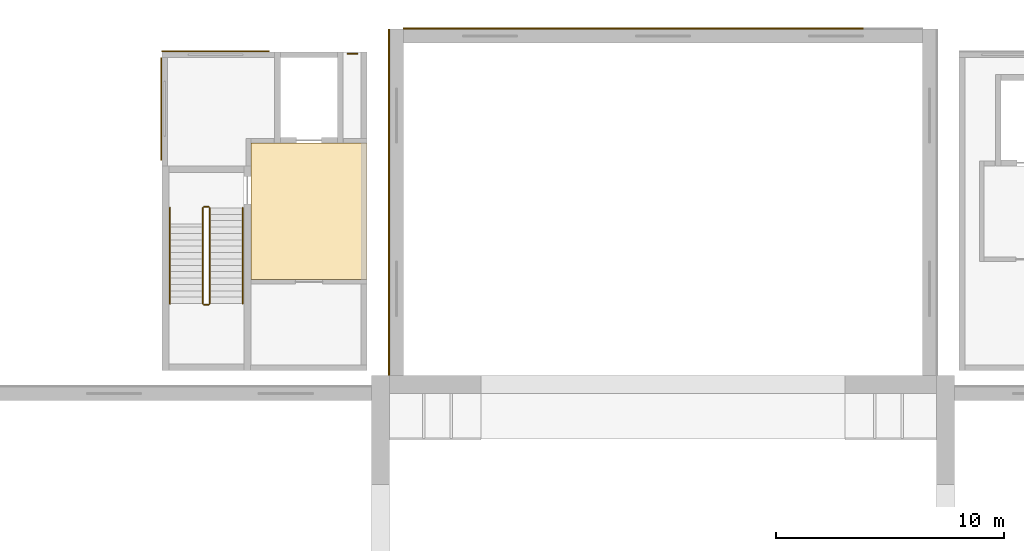
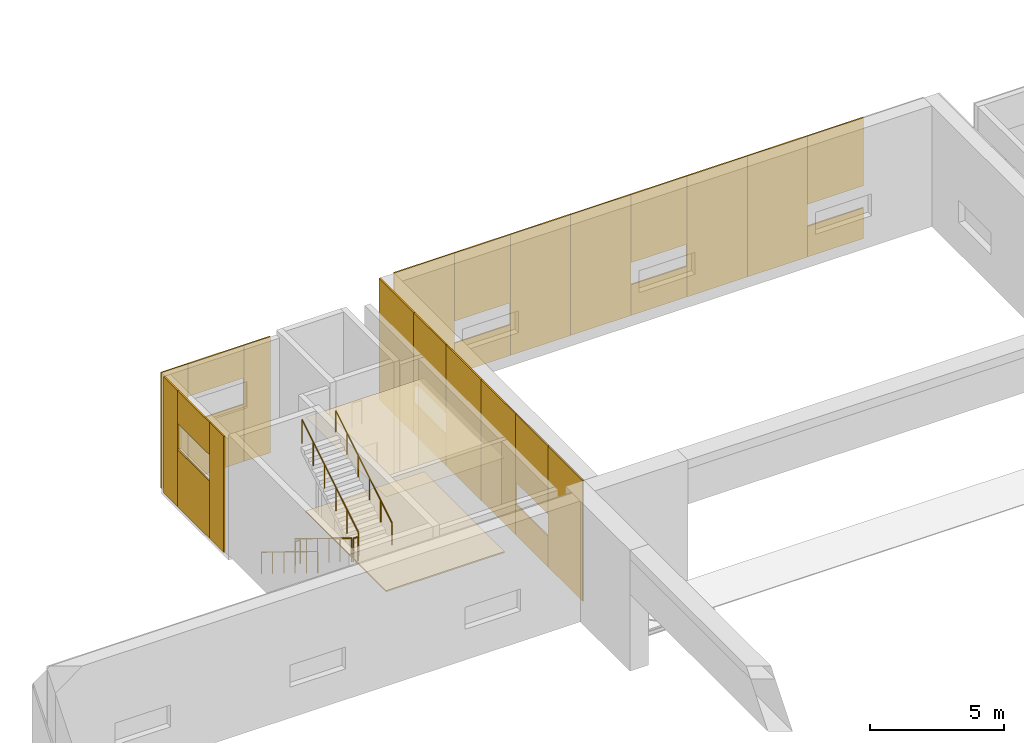
# One storey, part 72 of 87: 29 coverings, 7 railings.
"""IFC4 building model written with IfcOpenShell, lengths in metres."""

import ifcopenshell
import ifcopenshell.guid

model = None  # the IFC model being written
_history = None  # IfcOwnerHistory: only IFC2X3 demands one
_inside = {}  # id of a spatial element -> (the spatial element, [elements in it])
_under = {}  # id of a project, library or spatial element -> (it, [spatial elements below it])
_declared = {}  # id of a project -> (the project, [libraries it declares])
_typed = {}  # id of a type object -> (the type object, [elements of that type])
_made_of = {}  # id of a material, layer set ... -> (it, [elements and type objects made of it])


def new_model(schema):
    """Start an empty IFC model of exactly this schema.

    Asked for "IFC4X3", IfcOpenShell would pick the latest addendum, in which some entities
    have other attributes; the version numbers below select the first issue.
    IFC2X3 requires an IfcOwnerHistory on every rooted entity: one is made here for all.
    """
    global model, _history
    if schema == "IFC4X3":
        model = ifcopenshell.file(schema_version=(4, 3, 0, 0))
    else:
        model = ifcopenshell.file(schema=schema)
    _inside.clear()
    _under.clear()
    _declared.clear()
    _typed.clear()
    _made_of.clear()
    _history = None
    if model.schema == "IFC2X3":
        org = make("IfcOrganization", Name="unknown")
        user = make(
            "IfcPersonAndOrganization",
            ThePerson=make("IfcPerson", FamilyName="unknown"),
            TheOrganization=org,
        )
        app = make(
            "IfcApplication",
            ApplicationDeveloper=org,
            Version="unknown",
            ApplicationFullName="unknown",
            ApplicationIdentifier="unknown",
        )
        _history = make(
            "IfcOwnerHistory",
            OwningUser=user,
            OwningApplication=app,
            ChangeAction="ADDED",
            CreationDate=0,
        )
    return model


def make(cls, **values):
    """One entity of the class cls with the attributes given. An attribute that is None is left unset."""
    return model.create_entity(
        cls, **{name: value for name, value in values.items() if value is not None}
    )


def rooted(cls, **values):
    """An entity with a GlobalId (a new one), such as an element, a storey or a relation."""
    return make(cls, GlobalId=ifcopenshell.guid.new(), OwnerHistory=_history, **values)


def si_unit(unit_type, name, prefix=None):
    """IfcSIUnit, for example si_unit("LENGTHUNIT", "METRE", prefix="MILLI")."""
    return make("IfcSIUnit", UnitType=unit_type, Prefix=prefix, Name=name)


def assignment(units):
    """IfcUnitAssignment: the units of a project."""
    return None if units is None else make("IfcUnitAssignment", Units=units)


def point(xyz):
    """IfcCartesianPoint."""
    return None if xyz is None else make("IfcCartesianPoint", Coordinates=xyz)


def direction(xyz):
    """IfcDirection."""
    return None if xyz is None else make("IfcDirection", DirectionRatios=xyz)


def frame(location, z_axis=None, x_axis=None):
    """IfcAxis2Placement3D, a coordinate frame: its origin and axes. An axis left out is left unset."""
    return make(
        "IfcAxis2Placement3D",
        Location=point(location),
        Axis=direction(z_axis),
        RefDirection=direction(x_axis),
    )


def frame_2d(location, x_axis=None):
    """IfcAxis2Placement2D, a coordinate frame in the plane: its origin and x axis."""
    return make(
        "IfcAxis2Placement2D", Location=point(location), RefDirection=direction(x_axis)
    )


def origin():
    """The frame at (0, 0, 0) with its axes left unset."""
    return frame((0.0, 0.0, 0.0))


def origin_2d():
    """The frame at (0, 0) in the plane with its x axis left unset."""
    return frame_2d((0.0, 0.0))


def place(relative_to, where):
    """IfcLocalPlacement: puts the frame where relative to a parent placement (None: the world)."""
    return make(
        "IfcLocalPlacement", PlacementRelTo=relative_to, RelativePlacement=where
    )


def context(
    kind, dimensions, precision=None, world=None, true_north=None, identifier=None
):
    """IfcGeometricRepresentationContext, for example the 3D "Model" context."""
    return make(
        "IfcGeometricRepresentationContext",
        ContextIdentifier=identifier,
        ContextType=kind,
        CoordinateSpaceDimension=dimensions,
        Precision=precision,
        WorldCoordinateSystem=world,
        TrueNorth=true_north,
    )


def subcontext(parent, identifier, kind, view, scale=None):
    """IfcGeometricRepresentationSubContext, for example "Body" below "Model"."""
    return make(
        "IfcGeometricRepresentationSubContext",
        ContextIdentifier=identifier,
        ContextType=kind,
        ParentContext=parent,
        TargetScale=scale,
        TargetView=view,
    )


def project(units=None, contexts=None):
    """IfcProject with its units and contexts."""
    return rooted(
        "IfcProject",
        Name="project",
        RepresentationContexts=contexts,
        UnitsInContext=assignment(units),
    )


def spatial(cls, under=None, at=None, **own):
    """A site, building, storey or space (cls), placed at a placement, below another one or the project."""
    s = rooted(cls, ObjectPlacement=at, **own)
    if under is not None:
        _under.setdefault(under.id(), (under, []))[1].append(s)
    return s


def polyline(points):
    """IfcPolyline through the points."""
    return make("IfcPolyline", Points=[point(p) for p in points])


def profile(cls, at=None, kind="AREA", **sizes):
    """A parametric profile (cls). Its sizes go by their IFC names, for example OverallWidth=200.0."""
    return make(cls, ProfileType=kind, Position=at, **sizes)


def rectangle(**sizes):
    """IfcRectangleProfileDef."""
    return profile("IfcRectangleProfileDef", **sizes)


def circle(**sizes):
    """IfcCircleProfileDef."""
    return profile("IfcCircleProfileDef", **sizes)


def outline(outer, holes=None, kind="AREA"):
    """IfcArbitraryClosedProfileDef: a profile drawn as a closed curve; with holes, ...WithVoids."""
    if holes is None:
        return make("IfcArbitraryClosedProfileDef", ProfileType=kind, OuterCurve=outer)
    return make(
        "IfcArbitraryProfileDefWithVoids",
        ProfileType=kind,
        OuterCurve=outer,
        InnerCurves=holes,
    )


def extrude(swept, where, along, depth):
    """IfcExtrudedAreaSolid: the profile swept, set in the frame where, extruded along a direction by depth."""
    return make(
        "IfcExtrudedAreaSolid",
        SweptArea=swept,
        Position=where,
        ExtrudedDirection=direction(along),
        Depth=depth,
    )


def shape(context_of_items, identifier, shape_type, items):
    """IfcShapeRepresentation: the items that make up one representation, for example the "Body"."""
    return make(
        "IfcShapeRepresentation",
        ContextOfItems=context_of_items,
        RepresentationIdentifier=identifier,
        RepresentationType=shape_type,
        Items=items,
    )


def material(Name=None, Category=None):
    """IfcMaterial."""
    return make("IfcMaterial", Name=Name, Category=Category)


def layer(
    of_material, thickness, ventilated=None, Name=None, Category=None, Priority=None
):
    """IfcMaterialLayer: one layer of a wall or slab, of a material (None: an air gap)."""
    return make(
        "IfcMaterialLayer",
        Material=of_material,
        LayerThickness=thickness,
        IsVentilated=ventilated,
        Name=Name,
        Category=Category,
        Priority=Priority,
    )


def layer_set(layers, Name=None):
    """IfcMaterialLayerSet."""
    return make("IfcMaterialLayerSet", MaterialLayers=layers, LayerSetName=Name)


def made_of(thing, what):
    """Note that an element or type object is made of a material, layer set ...; save() writes the relation."""
    if what is not None:
        _made_of.setdefault(what.id(), (what, []))[1].append(thing)
    return thing


def type_object(cls, material=None, **own):
    """A type object (cls), such as IfcWallType, which elements share."""
    return made_of(rooted(cls, **own), material)


def element(
    cls,
    number,
    at=None,
    inside=None,
    cuts=None,
    type_object=None,
    material=None,
    context=None,
    identifier="Body",
    shape_type=None,
    held_by="IfcProductDefinitionShape",
    body=None,
    shapes=None,
    **own,
):
    """One element of the class cls, such as IfcWall. Its Tag is "e" and its number.

    at: its placement. inside: the storey or other place that contains it. cuts: it is an
    opening in that element (IfcRelVoidsElement). A single representation is given by context,
    identifier, shape_type and body (its items); several are given by shapes. held_by: the class
    of the entity that holds the representations. save() writes the other relations.
    """
    e = rooted(cls, Tag="e%d" % number, ObjectPlacement=at, **own)
    if body is not None:
        shapes = [shape(context, identifier, shape_type, body)]
    if shapes is not None:
        e.Representation = make(held_by, Representations=shapes)
    if inside is not None:
        _inside.setdefault(inside.id(), (inside, []))[1].append(e)
    if cuts is not None:
        rooted(
            "IfcRelVoidsElement", RelatingBuildingElement=cuts, RelatedOpeningElement=e
        )
    if type_object is not None:
        _typed.setdefault(type_object.id(), (type_object, []))[1].append(e)
    return made_of(e, material)


def aggregate(whole, parts):
    """IfcRelAggregates: a whole, such as a stair, and the parts it consists of."""
    return rooted("IfcRelAggregates", RelatingObject=whole, RelatedObjects=parts)


def save(model, path):
    """Write the relations noted so far, then the file.

    IfcRelAggregates (storeys below a building ...), IfcRelContainedInSpatialStructure (elements
    in a storey), IfcRelDefinesByType, IfcRelAssociatesMaterial and IfcRelDeclares: one each for
    every whole, place, type object, material and project.
    """
    for whole, parts in _under.values():
        aggregate(whole, parts)
    for where, things in _inside.values():
        rooted(
            "IfcRelContainedInSpatialStructure",
            RelatedElements=things,
            RelatingStructure=where,
        )
    for kind, things in _typed.values():
        rooted("IfcRelDefinesByType", RelatedObjects=things, RelatingType=kind)
    for what, things in _made_of.values():
        rooted("IfcRelAssociatesMaterial", RelatedObjects=things, RelatingMaterial=what)
    for by, libraries in _declared.values():
        rooted("IfcRelDeclares", RelatingContext=by, RelatedDefinitions=libraries)
    model.write(path)


model = new_model("IFC4")

# Units and contexts
model_context = context("Model", 3, precision=1e-05, world=origin(), true_north=direction((0.0, 1.0)))
body_context = subcontext(model_context, "Body", "Model", "MODEL_VIEW")
ifc_project = project(units=[si_unit("LENGTHUNIT", "METRE"), si_unit("AREAUNIT", "SQUARE_METRE"), si_unit("VOLUMEUNIT", "CUBIC_METRE"), si_unit("PLANEANGLEUNIT", "RADIAN"), si_unit("MASSUNIT", "GRAM", prefix="KILO")], contexts=[model_context])

# Site, building, storey
site_placement = place(None, origin())
site = spatial("IfcSite", under=ifc_project, at=site_placement, CompositionType="ELEMENT")
building_placement = place(site_placement, origin())
building = spatial("IfcBuilding", under=site, at=building_placement, Name="Lunette Opera House", CompositionType="ELEMENT")
storey_placement = place(building_placement, frame((0.0, 0.0, 11.5)))
storey = spatial("IfcBuildingStorey", under=building, at=storey_placement, Name="L02", CompositionType="ELEMENT", Elevation=11.5)

# Railings
ifc_material_1 = material(Name="Steel S355", Category="steel")
railing_type_1 = type_object("IfcRailingType", Name="DECK GUARD 1100", PredefinedType="GUARDRAIL", material=ifc_material_1)
railing_1_placement = place(storey_placement, frame((82.580078125, 134.919921875, 0.0)))
element("IfcRailing", 1, at=railing_1_placement, inside=storey, type_object=railing_type_1, Name="Deck guard 043", PredefinedType="GUARDRAIL", context=body_context, shape_type="SweptSolid", body=[
    extrude(circle(Radius=0.02392578125, at=origin_2d()), frame((0.0, 0.0, 1.076171875), z_axis=(-1.0, 0.0, 0.0), x_axis=(0.0, -1.0, 0.0)), (0.0, 0.0, 1.0), 0.420166015625),
    extrude(circle(Radius=0.02099609375, at=origin_2d()), origin(), (0.0, 0.0, 1.0), 1.052001953125),
    extrude(circle(Radius=0.02099609375, at=origin_2d()), frame((-0.420166015625, 0.0, 0.0)), (0.0, 0.0, 1.0), 1.052001953125),
])
ifc_material_2 = material(Name="Steel S355", Category="steel")
railing_type_2 = type_object("IfcRailingType", Name="STAIR GUARD 1100", PredefinedType="GUARDRAIL", material=ifc_material_2)
railing_2_placement = place(storey_placement, frame((75.800048828125, 128.14990234375, 0.171875)))
element("IfcRailing", 2, at=railing_2_placement, inside=storey, type_object=railing_type_2, Name="L02 ST11 stair guard 1", PredefinedType="GUARDRAIL", context=body_context, shape_type="SweptSolid", body=[
    extrude(circle(Radius=0.02392578125, at=origin_2d()), frame((0.0, 0.0, 1.076171875), z_axis=(0.0, -0.852242915053, 0.523146264196), x_axis=(1.0, 0.0, 0.0)), (0.0, 0.0, 1.0), 4.92822265625),
    extrude(circle(Radius=0.02099609375, at=origin_2d()), origin(), (0.0, 0.0, 1.0), 1.052001953125),
    extrude(circle(Radius=0.02099609375, at=origin_2d()), frame((0.0, -0.840087890625, 0.515625)), (0.0, 0.0, 1.0), 1.052001953125),
    extrude(circle(Radius=0.02099609375, at=origin_2d()), frame((0.0, -1.679931640625, 1.03125)), (0.0, 0.0, 1.0), 1.052001953125),
    extrude(circle(Radius=0.02099609375, at=origin_2d()), frame((0.0, -2.52001953125, 1.546875)), (0.0, 0.0, 1.0), 1.052001953125),
    extrude(circle(Radius=0.02099609375, at=origin_2d()), frame((0.0, -3.35986328125, 2.0625)), (0.0, 0.0, 1.0), 1.052001953125),
    extrude(circle(Radius=0.02099609375, at=origin_2d()), frame((0.0, -4.199951171875, 2.578125)), (0.0, 0.0, 1.0), 1.052001953125),
])
railing_3_placement = place(storey_placement, frame((75.85009765625, 123.89990234375, 2.75)))
element("IfcRailing", 3, at=railing_3_placement, inside=storey, type_object=railing_type_2, Name="L02 ST11 stair guard 2", PredefinedType="GUARDRAIL", context=body_context, shape_type="SweptSolid", body=[
    extrude(circle(Radius=0.02392578125, at=origin_2d()), frame((0.0, 0.0, 1.076171875), z_axis=(1.0, 0.0, 0.0), x_axis=(0.0, 1.0, 0.0)), (0.0, 0.0, 1.0), 0.199951171875),
    extrude(circle(Radius=0.02099609375, at=origin_2d()), origin(), (0.0, 0.0, 1.0), 1.052001953125),
    extrude(circle(Radius=0.02099609375, at=origin_2d()), frame((0.199951171875, 0.0, 0.0)), (0.0, 0.0, 1.0), 1.052001953125),
])
railing_4_placement = place(storey_placement, frame((76.10009765625, 123.949951171875, 2.921875)))
element("IfcRailing", 4, at=railing_4_placement, inside=storey, type_object=railing_type_2, Name="L02 ST11 stair guard 3", PredefinedType="GUARDRAIL", context=body_context, shape_type="SweptSolid", body=[
    extrude(circle(Radius=0.02392578125, at=origin_2d()), frame((0.0, 0.0, 1.076171875), z_axis=(0.0, 0.852242915053, 0.523146264196), x_axis=(-1.0, 0.0, 0.0)), (0.0, 0.0, 1.0), 4.92822265625),
    extrude(circle(Radius=0.02099609375, at=origin_2d()), origin(), (0.0, 0.0, 1.0), 1.052001953125),
    extrude(circle(Radius=0.02099609375, at=origin_2d()), frame((0.0, 0.840087890625, 0.515625)), (0.0, 0.0, 1.0), 1.052001953125),
    extrude(circle(Radius=0.02099609375, at=origin_2d()), frame((0.0, 1.679931640625, 1.03125)), (0.0, 0.0, 1.0), 1.052001953125),
    extrude(circle(Radius=0.02099609375, at=origin_2d()), frame((0.0, 2.52001953125, 1.546875)), (0.0, 0.0, 1.0), 1.052001953125),
    extrude(circle(Radius=0.02099609375, at=origin_2d()), frame((0.0, 3.35986328125, 2.0625)), (0.0, 0.0, 1.0), 1.052001953125),
    extrude(circle(Radius=0.02099609375, at=origin_2d()), frame((0.0, 4.199951171875, 2.578125)), (0.0, 0.0, 1.0), 1.052001953125),
])
railing_5_placement = place(storey_placement, frame((75.85009765625, 128.199951171875, 0.0)))
element("IfcRailing", 5, at=railing_5_placement, inside=storey, type_object=railing_type_2, Name="L02 ST11 stair guard 4", PredefinedType="GUARDRAIL", context=body_context, shape_type="SweptSolid", body=[
    extrude(circle(Radius=0.02392578125, at=origin_2d()), frame((0.0, 0.0, 1.076171875), z_axis=(1.0, 0.0, 0.0), x_axis=(0.0, 1.0, 0.0)), (0.0, 0.0, 1.0), 0.199951171875),
    extrude(circle(Radius=0.02099609375, at=origin_2d()), origin(), (0.0, 0.0, 1.0), 1.052001953125),
    extrude(circle(Radius=0.02099609375, at=origin_2d()), frame((0.199951171875, 0.0, 0.0)), (0.0, 0.0, 1.0), 1.052001953125),
])
ifc_material_3 = material(Name="Steel S355", Category="steel")
railing_type_3 = type_object("IfcRailingType", Name="STAIR HANDRAIL 1000", PredefinedType="HANDRAIL", material=ifc_material_3)
railing_6_placement = place(storey_placement, frame((74.35009765625, 128.14990234375, 0.171875)))
element("IfcRailing", 6, at=railing_6_placement, inside=storey, type_object=railing_type_3, Name="L02 ST11 stair handrail 1", PredefinedType="HANDRAIL", context=body_context, shape_type="SweptSolid", body=[
    extrude(circle(Radius=0.02392578125, at=origin_2d()), frame((0.0, 0.0, 0.97607421875), z_axis=(0.0, -0.852242915053, 0.523146264196), x_axis=(1.0, 0.0, 0.0)), (0.0, 0.0, 1.0), 4.92822265625),
    extrude(circle(Radius=0.02099609375, at=origin_2d()), origin(), (0.0, 0.0, 1.0), 0.951904296875),
    extrude(circle(Radius=0.02099609375, at=origin_2d()), frame((0.0, -0.840087890625, 0.515625)), (0.0, 0.0, 1.0), 0.951904296875),
    extrude(circle(Radius=0.02099609375, at=origin_2d()), frame((0.0, -1.679931640625, 1.03125)), (0.0, 0.0, 1.0), 0.951904296875),
    extrude(circle(Radius=0.02099609375, at=origin_2d()), frame((0.0, -2.52001953125, 1.546875)), (0.0, 0.0, 1.0), 0.951904296875),
    extrude(circle(Radius=0.02099609375, at=origin_2d()), frame((0.0, -3.35986328125, 2.0625)), (0.0, 0.0, 1.0), 0.951904296875),
    extrude(circle(Radius=0.02099609375, at=origin_2d()), frame((0.0, -4.199951171875, 2.578125)), (0.0, 0.0, 1.0), 0.951904296875),
])
railing_7_placement = place(storey_placement, frame((77.550048828125, 123.949951171875, 2.921875)))
element("IfcRailing", 7, at=railing_7_placement, inside=storey, type_object=railing_type_3, Name="L02 ST11 stair handrail 2", PredefinedType="HANDRAIL", context=body_context, shape_type="SweptSolid", body=[
    extrude(circle(Radius=0.02392578125, at=origin_2d()), frame((0.0, 0.0, 0.97607421875), z_axis=(0.0, 0.852242915053, 0.523146264196), x_axis=(-1.0, 0.0, 0.0)), (0.0, 0.0, 1.0), 4.92822265625),
    extrude(circle(Radius=0.02099609375, at=origin_2d()), origin(), (0.0, 0.0, 1.0), 0.951904296875),
    extrude(circle(Radius=0.02099609375, at=origin_2d()), frame((0.0, 0.840087890625, 0.515625)), (0.0, 0.0, 1.0), 0.951904296875),
    extrude(circle(Radius=0.02099609375, at=origin_2d()), frame((0.0, 1.679931640625, 1.03125)), (0.0, 0.0, 1.0), 0.951904296875),
    extrude(circle(Radius=0.02099609375, at=origin_2d()), frame((0.0, 2.52001953125, 1.546875)), (0.0, 0.0, 1.0), 0.951904296875),
    extrude(circle(Radius=0.02099609375, at=origin_2d()), frame((0.0, 3.35986328125, 2.0625)), (0.0, 0.0, 1.0), 0.951904296875),
    extrude(circle(Radius=0.02099609375, at=origin_2d()), frame((0.0, 4.199951171875, 2.578125)), (0.0, 0.0, 1.0), 0.951904296875),
])

# Coverings
ifc_material_4 = material(Name="Aluminium standing seam cladding", Category="aluminium")
ifc_layer_1 = layer(ifc_material_4, 0.06005859375)
ifc_layer_set_1 = layer_set([ifc_layer_1], Name="Aluminium standing seam cladding")
covering_type_1 = type_object("IfcCoveringType", Name="STANDING SEAM CLADDING 60", PredefinedType="CLADDING", material=ifc_layer_set_1)
covering_1_placement = place(storey_placement, frame((83.969970703125, 122.10009765625, 0.0), z_axis=(0.0, 0.0, 1.0), x_axis=(0.0, 1.0, 0.0)))
element("IfcCovering", 8, at=covering_1_placement, inside=storey, type_object=covering_type_1, Name="Standing seam cladding SR-W-1 L02 00", PredefinedType="CLADDING", context=body_context, shape_type="SweptSolid", body=[
    extrude(rectangle(XDim=2.60009765625, YDim=0.06005859375, at=origin_2d()), origin(), (0.0, 0.0, 1.0), 5.5),
])
covering_2_placement = place(storey_placement, frame((83.969970703125, 124.60009765625, 0.0), z_axis=(0.0, 0.0, 1.0), x_axis=(0.0, 1.0, 0.0)))
element("IfcCovering", 9, at=covering_2_placement, inside=storey, type_object=covering_type_1, Name="Standing seam cladding SR-W-1 L02 10", PredefinedType="CLADDING", context=body_context, shape_type="SweptSolid", body=[
    extrude(rectangle(XDim=2.39990234375, YDim=0.06005859375, at=origin_2d()), origin(), (0.0, 0.0, 1.0), 1.39990234375),
])
covering_3_placement = place(storey_placement, frame((83.969970703125, 124.60009765625, 2.39990234375), z_axis=(0.0, 0.0, 1.0), x_axis=(0.0, 1.0, 0.0)))
element("IfcCovering", 10, at=covering_3_placement, inside=storey, type_object=covering_type_1, Name="Standing seam cladding SR-W-1 L02 11", PredefinedType="CLADDING", context=body_context, shape_type="SweptSolid", body=[
    extrude(rectangle(XDim=2.39990234375, YDim=0.06005859375, at=origin_2d()), origin(), (0.0, 0.0, 1.0), 3.10009765625),
])
for number, where, z_axis, x_axis, name in (
    (11, (83.969970703125, 127.10009765625, 0.0), (0.0, 0.0, 1.0), (0.0, 1.0, 0.0), "Standing seam cladding SR-W-1 L02 20"),
    (12, (83.969970703125, 129.699951171875, 0.0), (0.0, 0.0, 1.0), (0.0, 1.0, 0.0), "Standing seam cladding SR-W-1 L02 21"),
):
    element("IfcCovering", number, at=place(storey_placement, frame(where, z_axis=z_axis, x_axis=x_axis)), inside=storey, type_object=covering_type_1, Name=name, PredefinedType="CLADDING", context=body_context, shape_type="SweptSolid", body=[
        extrude(rectangle(XDim=2.60009765625, YDim=0.06005859375, at=origin_2d()), origin(), (0.0, 0.0, 1.0), 5.5),
    ])
covering_4_placement = place(storey_placement, frame((83.969970703125, 132.199951171875, 0.0), z_axis=(0.0, 0.0, 1.0), x_axis=(0.0, 1.0, 0.0)))
element("IfcCovering", 13, at=covering_4_placement, inside=storey, type_object=covering_type_1, Name="Standing seam cladding SR-W-1 L02 30", PredefinedType="CLADDING", context=body_context, shape_type="SweptSolid", body=[
    extrude(rectangle(XDim=2.39990234375, YDim=0.06005859375, at=origin_2d()), origin(), (0.0, 0.0, 1.0), 1.39990234375),
])
covering_5_placement = place(storey_placement, frame((83.969970703125, 132.199951171875, 2.39990234375), z_axis=(0.0, 0.0, 1.0), x_axis=(0.0, 1.0, 0.0)))
element("IfcCovering", 14, at=covering_5_placement, inside=storey, type_object=covering_type_1, Name="Standing seam cladding SR-W-1 L02 31", PredefinedType="CLADDING", context=body_context, shape_type="SweptSolid", body=[
    extrude(rectangle(XDim=2.39990234375, YDim=0.06005859375, at=origin_2d()), origin(), (0.0, 0.0, 1.0), 3.10009765625),
])
for number, where, z_axis, x_axis, name in (
    (15, (83.969970703125, 134.699951171875, 0.0), (0.0, 0.0, 1.0), (0.0, 1.0, 0.0), "Standing seam cladding SR-W-1 L02 40"),
    (16, (85.89990234375, 136.030029296875, 0.0), (0.0, 0.0, 1.0), (1.0, 0.0, 0.0), "Standing seam cladding SR-N-1 L02 00"),
):
    element("IfcCovering", number, at=place(storey_placement, frame(where, z_axis=z_axis, x_axis=x_axis)), inside=storey, type_object=covering_type_1, Name=name, PredefinedType="CLADDING", context=body_context, shape_type="SweptSolid", body=[
        extrude(rectangle(XDim=2.60009765625, YDim=0.06005859375, at=origin_2d()), origin(), (0.0, 0.0, 1.0), 5.5),
    ])
covering_6_placement = place(storey_placement, frame((88.39990234375, 136.030029296875, 0.0), z_axis=(0.0, 0.0, 1.0), x_axis=(1.0, 0.0, 0.0)))
element("IfcCovering", 17, at=covering_6_placement, inside=storey, type_object=covering_type_1, Name="Standing seam cladding SR-N-1 L02 10", PredefinedType="CLADDING", context=body_context, shape_type="SweptSolid", body=[
    extrude(rectangle(XDim=2.39990234375, YDim=0.06005859375, at=origin_2d()), origin(), (0.0, 0.0, 1.0), 1.39990234375),
])
covering_7_placement = place(storey_placement, frame((88.39990234375, 136.030029296875, 2.39990234375), z_axis=(0.0, 0.0, 1.0), x_axis=(1.0, 0.0, 0.0)))
element("IfcCovering", 18, at=covering_7_placement, inside=storey, type_object=covering_type_1, Name="Standing seam cladding SR-N-1 L02 11", PredefinedType="CLADDING", context=body_context, shape_type="SweptSolid", body=[
    extrude(rectangle(XDim=2.39990234375, YDim=0.06005859375, at=origin_2d()), origin(), (0.0, 0.0, 1.0), 3.10009765625),
])
for number, where, z_axis, x_axis, name in (
    (19, (90.89990234375, 136.030029296875, 0.0), (0.0, 0.0, 1.0), (1.0, 0.0, 0.0), "Standing seam cladding SR-N-1 L02 20"),
    (20, (93.5, 136.030029296875, 0.0), (0.0, 0.0, 1.0), (1.0, 0.0, 0.0), "Standing seam cladding SR-N-1 L02 21"),
):
    element("IfcCovering", number, at=place(storey_placement, frame(where, z_axis=z_axis, x_axis=x_axis)), inside=storey, type_object=covering_type_1, Name=name, PredefinedType="CLADDING", context=body_context, shape_type="SweptSolid", body=[
        extrude(rectangle(XDim=2.60009765625, YDim=0.06005859375, at=origin_2d()), origin(), (0.0, 0.0, 1.0), 5.5),
    ])
covering_8_placement = place(storey_placement, frame((96.0, 136.030029296875, 0.0), z_axis=(0.0, 0.0, 1.0), x_axis=(1.0, 0.0, 0.0)))
element("IfcCovering", 21, at=covering_8_placement, inside=storey, type_object=covering_type_1, Name="Standing seam cladding SR-N-1 L02 30", PredefinedType="CLADDING", context=body_context, shape_type="SweptSolid", body=[
    extrude(rectangle(XDim=2.39990234375, YDim=0.06005859375, at=origin_2d()), origin(), (0.0, 0.0, 1.0), 1.39990234375),
])
covering_9_placement = place(storey_placement, frame((96.0, 136.030029296875, 2.39990234375), z_axis=(0.0, 0.0, 1.0), x_axis=(1.0, 0.0, 0.0)))
element("IfcCovering", 22, at=covering_9_placement, inside=storey, type_object=covering_type_1, Name="Standing seam cladding SR-N-1 L02 31", PredefinedType="CLADDING", context=body_context, shape_type="SweptSolid", body=[
    extrude(rectangle(XDim=2.39990234375, YDim=0.06005859375, at=origin_2d()), origin(), (0.0, 0.0, 1.0), 3.10009765625),
])
for number, where, z_axis, x_axis, name in (
    (23, (98.5, 136.030029296875, 0.0), (0.0, 0.0, 1.0), (1.0, 0.0, 0.0), "Standing seam cladding SR-N-1 L02 40"),
    (24, (101.10009765625, 136.030029296875, 0.0), (0.0, 0.0, 1.0), (1.0, 0.0, 0.0), "Standing seam cladding SR-N-1 L02 41"),
):
    element("IfcCovering", number, at=place(storey_placement, frame(where, z_axis=z_axis, x_axis=x_axis)), inside=storey, type_object=covering_type_1, Name=name, PredefinedType="CLADDING", context=body_context, shape_type="SweptSolid", body=[
        extrude(rectangle(XDim=2.60009765625, YDim=0.06005859375, at=origin_2d()), origin(), (0.0, 0.0, 1.0), 5.5),
    ])
covering_10_placement = place(storey_placement, frame((103.60009765625, 136.030029296875, 0.0), z_axis=(0.0, 0.0, 1.0), x_axis=(1.0, 0.0, 0.0)))
element("IfcCovering", 25, at=covering_10_placement, inside=storey, type_object=covering_type_1, Name="Standing seam cladding SR-N-1 L02 50", PredefinedType="CLADDING", context=body_context, shape_type="SweptSolid", body=[
    extrude(rectangle(XDim=2.39990234375, YDim=0.06005859375, at=origin_2d()), origin(), (0.0, 0.0, 1.0), 1.39990234375),
])
covering_11_placement = place(storey_placement, frame((103.60009765625, 136.030029296875, 2.39990234375), z_axis=(0.0, 0.0, 1.0), x_axis=(1.0, 0.0, 0.0)))
element("IfcCovering", 26, at=covering_11_placement, inside=storey, type_object=covering_type_1, Name="Standing seam cladding SR-N-1 L02 51", PredefinedType="CLADDING", context=body_context, shape_type="SweptSolid", body=[
    extrude(rectangle(XDim=2.39990234375, YDim=0.06005859375, at=origin_2d()), origin(), (0.0, 0.0, 1.0), 3.10009765625),
])
covering_12_placement = place(storey_placement, frame((78.126953125, 135.030029296875, 0.0), z_axis=(0.0, 0.0, 1.0), x_axis=(-1.0, 0.0, 0.0)))
element("IfcCovering", 27, at=covering_12_placement, inside=storey, type_object=covering_type_1, Name="Standing seam cladding TW11 L02 00", PredefinedType="CLADDING", context=body_context, shape_type="SweptSolid", body=[
    extrude(rectangle(XDim=1.15087890625, YDim=0.06005859375, at=origin_2d()), origin(), (0.0, 0.0, 1.0), 5.280029296875),
])
covering_13_placement = place(storey_placement, frame((76.35205078125, 135.030029296875, 0.0), z_axis=(0.0, 0.0, 1.0), x_axis=(-1.0, 0.0, 0.0)))
element("IfcCovering", 28, at=covering_13_placement, inside=storey, type_object=covering_type_1, Name="Standing seam cladding TW11 L02 10", PredefinedType="CLADDING", context=body_context, shape_type="SweptSolid", body=[
    extrude(rectangle(XDim=2.39990234375, YDim=0.06005859375, at=origin_2d()), origin(), (0.0, 0.0, 1.0), 2.60009765625),
])
covering_14_placement = place(storey_placement, frame((76.35205078125, 135.030029296875, 3.800048828125), z_axis=(0.0, 0.0, 1.0), x_axis=(-1.0, 0.0, 0.0)))
element("IfcCovering", 29, at=covering_14_placement, inside=storey, type_object=covering_type_1, Name="Standing seam cladding TW11 L02 11", PredefinedType="CLADDING", context=body_context, shape_type="SweptSolid", body=[
    extrude(rectangle(XDim=2.39990234375, YDim=0.06005859375, at=origin_2d()), origin(), (0.0, 0.0, 1.0), 1.47998046875),
])
covering_15_placement = place(storey_placement, frame((74.575927734375, 135.030029296875, 0.0), z_axis=(0.0, 0.0, 1.0), x_axis=(-1.0, 0.0, 0.0)))
element("IfcCovering", 30, at=covering_15_placement, inside=storey, type_object=covering_type_1, Name="Standing seam cladding TW11 L02 20", PredefinedType="CLADDING", context=body_context, shape_type="SweptSolid", body=[
    extrude(rectangle(XDim=1.152099609375, YDim=0.06005859375, at=origin_2d()), origin(), (0.0, 0.0, 1.0), 5.280029296875),
])
covering_16_placement = place(storey_placement, frame((73.969970703125, 134.22509765625, 0.0), z_axis=(0.0, 0.0, 1.0), x_axis=(0.0, -1.0, 0.0)))
element("IfcCovering", 31, at=covering_16_placement, inside=storey, type_object=covering_type_1, Name="Standing seam cladding TW12 L02 00", PredefinedType="CLADDING", context=body_context, shape_type="SweptSolid", body=[
    extrude(rectangle(XDim=1.050048828125, YDim=0.06005859375, at=origin_2d()), origin(), (0.0, 0.0, 1.0), 5.280029296875),
])
covering_17_placement = place(storey_placement, frame((73.969970703125, 132.5, 0.0), z_axis=(0.0, 0.0, 1.0), x_axis=(0.0, -1.0, 0.0)))
element("IfcCovering", 32, at=covering_17_placement, inside=storey, type_object=covering_type_1, Name="Standing seam cladding TW12 L02 10", PredefinedType="CLADDING", context=body_context, shape_type="SweptSolid", body=[
    extrude(rectangle(XDim=2.39990234375, YDim=0.06005859375, at=origin_2d()), origin(), (0.0, 0.0, 1.0), 2.60009765625),
])
covering_18_placement = place(storey_placement, frame((73.969970703125, 132.5, 3.800048828125), z_axis=(0.0, 0.0, 1.0), x_axis=(0.0, -1.0, 0.0)))
element("IfcCovering", 33, at=covering_18_placement, inside=storey, type_object=covering_type_1, Name="Standing seam cladding TW12 L02 11", PredefinedType="CLADDING", context=body_context, shape_type="SweptSolid", body=[
    extrude(rectangle(XDim=2.39990234375, YDim=0.06005859375, at=origin_2d()), origin(), (0.0, 0.0, 1.0), 1.47998046875),
])
covering_19_placement = place(storey_placement, frame((73.969970703125, 130.77490234375, 0.0), z_axis=(0.0, 0.0, 1.0), x_axis=(0.0, -1.0, 0.0)))
element("IfcCovering", 34, at=covering_19_placement, inside=storey, type_object=covering_type_1, Name="Standing seam cladding TW12 L02 20", PredefinedType="CLADDING", context=body_context, shape_type="SweptSolid", body=[
    extrude(rectangle(XDim=1.050048828125, YDim=0.06005859375, at=origin_2d()), origin(), (0.0, 0.0, 1.0), 5.280029296875),
])
ifc_material_5 = material(Name="Mineral fibre board")
ifc_layer_2 = layer(ifc_material_5, 0.014892578125)
ifc_layer_set_2 = layer_set([ifc_layer_2], Name="Mineral fibre board")
covering_type_2 = type_object("IfcCoveringType", Name="SUSPENDED ACOUSTIC CEILING 15", PredefinedType="CEILING", material=ifc_layer_set_2)
covering_20_placement = place(storey_placement, frame((0.0, 0.0, 4.31494140625)))
element("IfcCovering", 35, at=covering_20_placement, inside=storey, type_object=covering_type_2, Name="Ceiling Lift Lobby L02 Stage Tower", PredefinedType="CEILING", context=body_context, shape_type="SweptSolid", body=[
    extrude(outline(polyline([(83.0, 125.0), (83.0, 131.0), (77.89990234375, 131.0), (77.89990234375, 125.0), (83.0, 125.0)])), origin(), (0.0, 0.0, 1.0), 0.01513671875),
])
ifc_material_6 = material(Name="Terrazzo")
ifc_layer_3 = layer(ifc_material_6, 0.06005859375)
ifc_layer_set_3 = layer_set([ifc_layer_3], Name="Terrazzo")
covering_type_3 = type_object("IfcCoveringType", Name="TERRAZZO FLOOR FINISH 60", PredefinedType="FLOORING", material=ifc_layer_set_3)
covering_21_placement = place(storey_placement, origin())
element("IfcCovering", 36, at=covering_21_placement, inside=storey, type_object=covering_type_3, Name="Floor finish Lift Lobby L02 Stage Tower", PredefinedType="FLOORING", context=body_context, shape_type="SweptSolid", body=[
    extrude(outline(polyline([(83.0, 125.0), (83.0, 131.0), (77.89990234375, 131.0), (77.89990234375, 125.0), (83.0, 125.0)])), origin(), (0.0, 0.0, 1.0), 0.06005859375),
])

save(model, "model.ifc")
